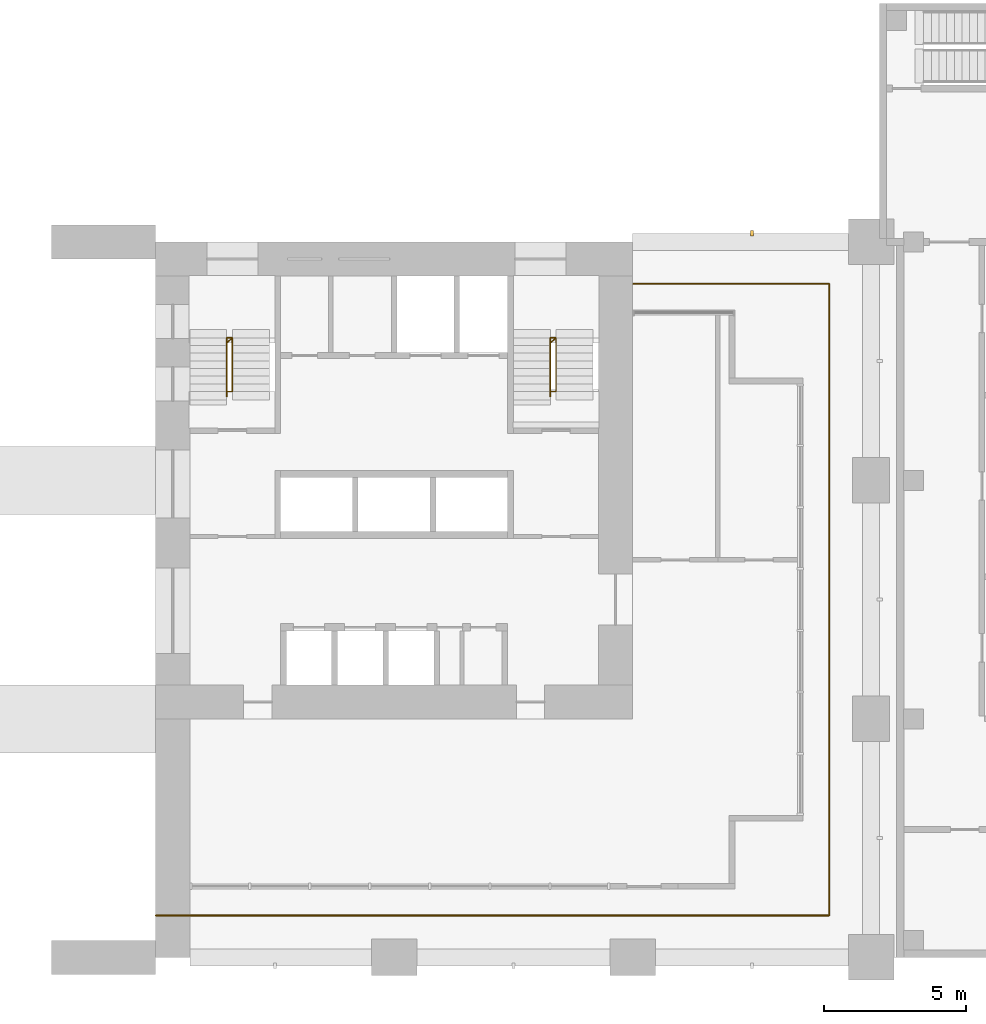
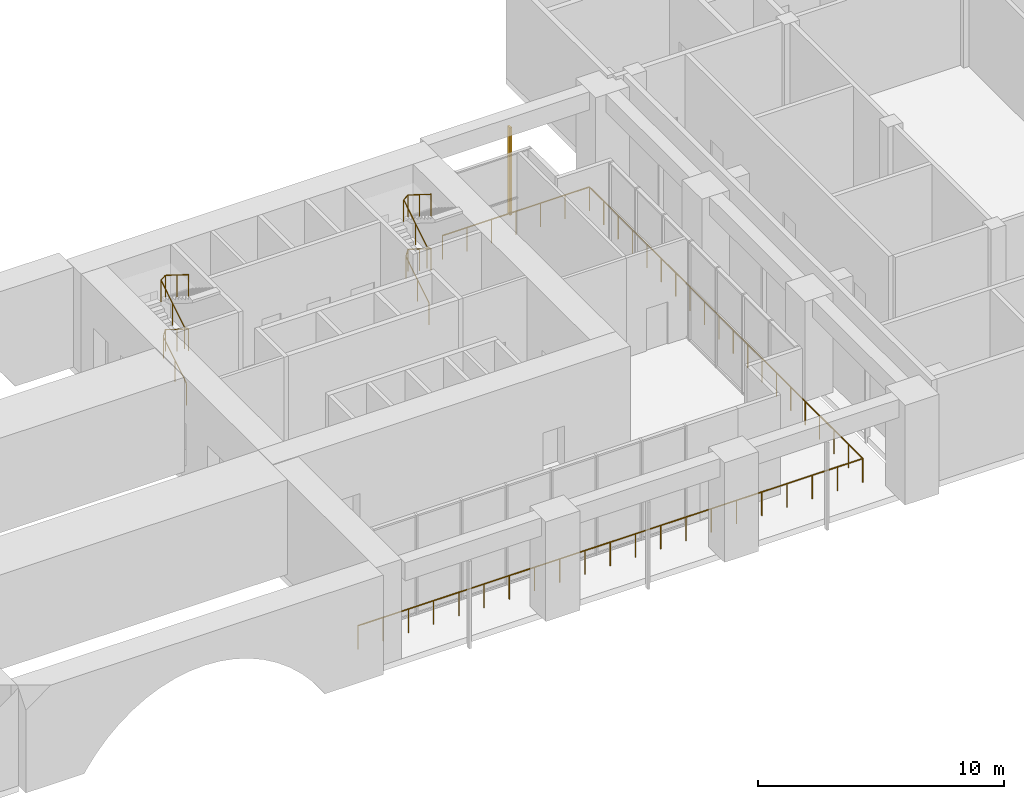
# One storey, part 22 of 26: 3 railings, 1 shading device.
"""IFC4 building model written with IfcOpenShell, lengths in metres."""

from ifc_helpers import new_model, si_unit, direction, frame, origin, origin_2d, place, context, subcontext, project, spatial, rectangle, circle, extrude, material, material_profile, profile_set, type_object, element, save


model = new_model("IFC4")

# Units and contexts
model_context = context("Model", 3, precision=1e-05, world=origin(), true_north=direction((0.0, 1.0)))
body_context = subcontext(model_context, "Body", "Model", "MODEL_VIEW")
ifc_project = project(units=[si_unit("LENGTHUNIT", "METRE"), si_unit("AREAUNIT", "SQUARE_METRE"), si_unit("VOLUMEUNIT", "CUBIC_METRE"), si_unit("PLANEANGLEUNIT", "RADIAN"), si_unit("MASSUNIT", "GRAM", prefix="KILO")], contexts=[model_context])

# Site, building, storey
site_placement = place(None, origin())
site = spatial("IfcSite", under=ifc_project, at=site_placement, CompositionType="ELEMENT")
building_placement = place(site_placement, origin())
building = spatial("IfcBuilding", under=site, at=building_placement, Name="Vermilion Gate Residences", CompositionType="ELEMENT")
storey_placement = place(building_placement, frame((0.0, 0.0, 9.0)))
storey = spatial("IfcBuildingStorey", under=building, at=storey_placement, Name="L01", CompositionType="ELEMENT", Elevation=9.0)

# Railings
ifc_material_1 = material(Name="Stainless steel and toughened glass", Category="steel")
railing_type_1 = type_object("IfcRailingType", Name="LOGGIA GUARD STEEL AND GLASS 1200", PredefinedType="GUARDRAIL", material=ifc_material_1)
railing_1_placement = place(storey_placement, frame((42.0, 1.47509765625, 0.0)))
element("IfcRailing", 1, at=railing_1_placement, inside=storey, type_object=railing_type_1, Name="Loggia guard", PredefinedType="GUARDRAIL", context=body_context, shape_type="SweptSolid", body=[
    extrude(circle(Radius=0.030029296875, at=origin_2d()), frame((0.0, 0.0, 1.169921875), z_axis=(1.0, 0.0, 0.0), x_axis=(0.0, 1.0, 0.0)), (0.0, 0.0, 1.0), 23.72509765625),
    extrude(circle(Radius=0.030029296875, at=origin_2d()), frame((23.72509765625, 0.0, 1.169921875), z_axis=(0.0, 1.0, 0.0), x_axis=(-1.0, 0.0, 0.0)), (0.0, 0.0, 1.0), 22.25),
    extrude(circle(Radius=0.030029296875, at=origin_2d()), frame((23.72509765625, 22.25, 1.169921875), z_axis=(-1.0, 0.0, 0.0), x_axis=(0.0, -1.0, 0.0)), (0.0, 0.0, 1.0), 6.903076171875),
    extrude(circle(Radius=0.02490234375, at=origin_2d()), origin(), (0.0, 0.0, 1.0), 1.139892578125),
    extrude(circle(Radius=0.02490234375, at=origin_2d()), frame((1.186279296875, 0.0, 0.0)), (0.0, 0.0, 1.0), 1.139892578125),
    extrude(circle(Radius=0.02490234375, at=origin_2d()), frame((2.37255859375, 0.0, 0.0)), (0.0, 0.0, 1.0), 1.139892578125),
    extrude(circle(Radius=0.02490234375, at=origin_2d()), frame((3.558837890625, 0.0, 0.0)), (0.0, 0.0, 1.0), 1.139892578125),
    extrude(circle(Radius=0.02490234375, at=origin_2d()), frame((4.7451171875, 0.0, 0.0)), (0.0, 0.0, 1.0), 1.139892578125),
    extrude(circle(Radius=0.02490234375, at=origin_2d()), frame((5.93115234375, 0.0, 0.0)), (0.0, 0.0, 1.0), 1.139892578125),
    extrude(circle(Radius=0.02490234375, at=origin_2d()), frame((7.117431640625, 0.0, 0.0)), (0.0, 0.0, 1.0), 1.139892578125),
    extrude(circle(Radius=0.02490234375, at=origin_2d()), frame((8.3037109375, 0.0, 0.0)), (0.0, 0.0, 1.0), 1.139892578125),
    extrude(circle(Radius=0.02490234375, at=origin_2d()), frame((9.489990234375, 0.0, 0.0)), (0.0, 0.0, 1.0), 1.139892578125),
    extrude(circle(Radius=0.02490234375, at=origin_2d()), frame((10.67626953125, 0.0, 0.0)), (0.0, 0.0, 1.0), 1.139892578125),
    extrude(circle(Radius=0.02490234375, at=origin_2d()), frame((11.862548828125, 0.0, 0.0)), (0.0, 0.0, 1.0), 1.139892578125),
    extrude(circle(Radius=0.02490234375, at=origin_2d()), frame((13.048828125, 0.0, 0.0)), (0.0, 0.0, 1.0), 1.139892578125),
    extrude(circle(Radius=0.02490234375, at=origin_2d()), frame((14.235107421875, 0.0, 0.0)), (0.0, 0.0, 1.0), 1.139892578125),
    extrude(circle(Radius=0.02490234375, at=origin_2d()), frame((15.42138671875, 0.0, 0.0)), (0.0, 0.0, 1.0), 1.139892578125),
    extrude(circle(Radius=0.02490234375, at=origin_2d()), frame((16.607666015625, 0.0, 0.0)), (0.0, 0.0, 1.0), 1.139892578125),
    extrude(circle(Radius=0.02490234375, at=origin_2d()), frame((17.7939453125, 0.0, 0.0)), (0.0, 0.0, 1.0), 1.139892578125),
    extrude(circle(Radius=0.02490234375, at=origin_2d()), frame((18.97998046875, 0.0, 0.0)), (0.0, 0.0, 1.0), 1.139892578125),
    extrude(circle(Radius=0.02490234375, at=origin_2d()), frame((20.166259765625, 0.0, 0.0)), (0.0, 0.0, 1.0), 1.139892578125),
    extrude(circle(Radius=0.02490234375, at=origin_2d()), frame((21.3525390625, 0.0, 0.0)), (0.0, 0.0, 1.0), 1.139892578125),
    extrude(circle(Radius=0.02490234375, at=origin_2d()), frame((22.538818359375, 0.0, 0.0)), (0.0, 0.0, 1.0), 1.139892578125),
    extrude(circle(Radius=0.02490234375, at=origin_2d()), frame((23.72509765625, 0.0, 0.0)), (0.0, 0.0, 1.0), 1.139892578125),
    extrude(circle(Radius=0.02490234375, at=origin_2d()), frame((23.72509765625, 1.171142578125, 0.0)), (0.0, 0.0, 1.0), 1.139892578125),
    extrude(circle(Radius=0.02490234375, at=origin_2d()), frame((23.72509765625, 2.342041015625, 0.0)), (0.0, 0.0, 1.0), 1.139892578125),
    extrude(circle(Radius=0.02490234375, at=origin_2d()), frame((23.72509765625, 3.51318359375, 0.0)), (0.0, 0.0, 1.0), 1.139892578125),
    extrude(circle(Radius=0.02490234375, at=origin_2d()), frame((23.72509765625, 4.684326171875, 0.0)), (0.0, 0.0, 1.0), 1.139892578125),
    extrude(circle(Radius=0.02490234375, at=origin_2d()), frame((23.72509765625, 5.855224609375, 0.0)), (0.0, 0.0, 1.0), 1.139892578125),
    extrude(circle(Radius=0.02490234375, at=origin_2d()), frame((23.72509765625, 7.0263671875, 0.0)), (0.0, 0.0, 1.0), 1.139892578125),
    extrude(circle(Radius=0.02490234375, at=origin_2d()), frame((23.72509765625, 8.197265625, 0.0)), (0.0, 0.0, 1.0), 1.139892578125),
    extrude(circle(Radius=0.02490234375, at=origin_2d()), frame((23.72509765625, 9.368408203125, 0.0)), (0.0, 0.0, 1.0), 1.139892578125),
    extrude(circle(Radius=0.02490234375, at=origin_2d()), frame((23.72509765625, 10.53955078125, 0.0)), (0.0, 0.0, 1.0), 1.139892578125),
    extrude(circle(Radius=0.02490234375, at=origin_2d()), frame((23.72509765625, 11.71044921875, 0.0)), (0.0, 0.0, 1.0), 1.139892578125),
    extrude(circle(Radius=0.02490234375, at=origin_2d()), frame((23.72509765625, 12.881591796875, 0.0)), (0.0, 0.0, 1.0), 1.139892578125),
    extrude(circle(Radius=0.02490234375, at=origin_2d()), frame((23.72509765625, 14.052734375, 0.0)), (0.0, 0.0, 1.0), 1.139892578125),
    extrude(circle(Radius=0.02490234375, at=origin_2d()), frame((23.72509765625, 15.2236328125, 0.0)), (0.0, 0.0, 1.0), 1.139892578125),
    extrude(circle(Radius=0.02490234375, at=origin_2d()), frame((23.72509765625, 16.394775390625, 0.0)), (0.0, 0.0, 1.0), 1.139892578125),
    extrude(circle(Radius=0.02490234375, at=origin_2d()), frame((23.72509765625, 17.565673828125, 0.0)), (0.0, 0.0, 1.0), 1.139892578125),
    extrude(circle(Radius=0.02490234375, at=origin_2d()), frame((23.72509765625, 18.73681640625, 0.0)), (0.0, 0.0, 1.0), 1.139892578125),
    extrude(circle(Radius=0.02490234375, at=origin_2d()), frame((23.72509765625, 19.907958984375, 0.0)), (0.0, 0.0, 1.0), 1.139892578125),
    extrude(circle(Radius=0.02490234375, at=origin_2d()), frame((23.72509765625, 21.078857421875, 0.0)), (0.0, 0.0, 1.0), 1.139892578125),
    extrude(circle(Radius=0.02490234375, at=origin_2d()), frame((23.72509765625, 22.25, 0.0)), (0.0, 0.0, 1.0), 1.139892578125),
    extrude(circle(Radius=0.02490234375, at=origin_2d()), frame((22.57470703125, 22.25, 0.0)), (0.0, 0.0, 1.0), 1.139892578125),
    extrude(circle(Radius=0.02490234375, at=origin_2d()), frame((21.424072265625, 22.25, 0.0)), (0.0, 0.0, 1.0), 1.139892578125),
    extrude(circle(Radius=0.02490234375, at=origin_2d()), frame((20.2734375, 22.25, 0.0)), (0.0, 0.0, 1.0), 1.139892578125),
    extrude(circle(Radius=0.02490234375, at=origin_2d()), frame((19.123046875, 22.25, 0.0)), (0.0, 0.0, 1.0), 1.139892578125),
    extrude(circle(Radius=0.02490234375, at=origin_2d()), frame((17.97265625, 22.25, 0.0)), (0.0, 0.0, 1.0), 1.139892578125),
    extrude(circle(Radius=0.02490234375, at=origin_2d()), frame((16.822021484375, 22.25, 0.0)), (0.0, 0.0, 1.0), 1.139892578125),
])
ifc_material_2 = material(Name="Steel S355", Category="steel")
railing_type_2 = type_object("IfcRailingType", Name="STAIR GUARD 1100 STEEL", PredefinedType="GUARDRAIL", material=ifc_material_2)
railing_2_placement = place(storey_placement, frame((44.5, 19.75, 0.168701171875)))
element("IfcRailing", 2, at=railing_2_placement, inside=storey, type_object=railing_type_2, Name="Stair well guard STA1-01", PredefinedType="GUARDRAIL", context=body_context, shape_type="SweptSolid", body=[
    extrude(circle(Radius=0.02392578125, at=origin_2d()), frame((0.0, 0.0, 1.076171875), z_axis=(0.0, 0.847955223367, 0.530067862792), x_axis=(-1.0, 0.0, 0.0)), (0.0, 0.0, 1.0), 2.228759765625),
    extrude(circle(Radius=0.02392578125, at=origin_2d()), frame((0.0, 1.889892578125, 2.25732421875), z_axis=(0.629462764899, 0.567208205734, 0.531085189921), x_axis=(-0.669415636384, 0.74288808428, 0.0)), (0.0, 0.0, 1.0), 0.317626953125),
    extrude(circle(Radius=0.02392578125, at=origin_2d()), frame((0.199951171875, 2.070068359375, 2.42626953125), z_axis=(0.0, -0.848035224522, 0.529939862598), x_axis=(1.0, 0.0, 0.0)), (0.0, 0.0, 1.0), 2.228759765625),
    extrude(circle(Radius=0.02392578125, at=origin_2d()), frame((0.199951171875, 0.179931640625, 3.607421875), z_axis=(-0.764305856904, 0.0, 0.644853903688), x_axis=(0.0, -1.0, 0.0)), (0.0, 0.0, 1.0), 0.26171875),
    extrude(circle(Radius=0.02392578125, at=origin_2d()), frame((0.0, 0.179931640625, 3.77587890625), z_axis=(0.0, 0.847985996966, 0.530018630757), x_axis=(-1.0, 0.0, 0.0)), (0.0, 0.0, 1.0), 2.22900390625),
    extrude(circle(Radius=0.02392578125, at=origin_2d()), frame((0.0, 2.070068359375, 4.95751953125), z_axis=(0.764305856904, 0.0, 0.644853903688), x_axis=(0.0, 1.0, 0.0)), (0.0, 0.0, 1.0), 0.26171875),
    extrude(circle(Radius=0.02392578125, at=origin_2d()), frame((0.199951171875, 2.070068359375, 5.1259765625), z_axis=(0.0, -0.848035224522, 0.529939862598), x_axis=(1.0, 0.0, 0.0)), (0.0, 0.0, 1.0), 2.228759765625),
    extrude(circle(Radius=0.02099609375, at=origin_2d()), origin(), (0.0, 0.0, 1.0), 1.052001953125),
    extrude(circle(Radius=0.02099609375, at=origin_2d()), frame((0.0, 0.94482421875, 0.5908203125)), (0.0, 0.0, 1.0), 1.052001953125),
    extrude(circle(Radius=0.02099609375, at=origin_2d()), frame((0.0, 1.889892578125, 1.181396484375)), (0.0, 0.0, 1.0), 1.052001953125),
    extrude(circle(Radius=0.02099609375, at=origin_2d()), frame((0.199951171875, 2.070068359375, 1.35009765625)), (0.0, 0.0, 1.0), 1.052001953125),
    extrude(circle(Radius=0.02099609375, at=origin_2d()), frame((0.199951171875, 1.125, 1.940673828125)), (0.0, 0.0, 1.0), 1.052001953125),
    extrude(circle(Radius=0.02099609375, at=origin_2d()), frame((0.199951171875, 0.179931640625, 2.53125)), (0.0, 0.0, 1.0), 1.052001953125),
    extrude(circle(Radius=0.02099609375, at=origin_2d()), frame((0.0, 0.179931640625, 2.699951171875)), (0.0, 0.0, 1.0), 1.052001953125),
    extrude(circle(Radius=0.02099609375, at=origin_2d()), frame((0.0, 1.125, 3.29052734375)), (0.0, 0.0, 1.0), 1.052001953125),
    extrude(circle(Radius=0.02099609375, at=origin_2d()), frame((0.0, 2.070068359375, 3.88134765625)), (0.0, 0.0, 1.0), 1.052001953125),
    extrude(circle(Radius=0.02099609375, at=origin_2d()), frame((0.199951171875, 2.070068359375, 4.050048828125)), (0.0, 0.0, 1.0), 1.052001953125),
    extrude(circle(Radius=0.02099609375, at=origin_2d()), frame((0.199951171875, 1.125, 4.640625)), (0.0, 0.0, 1.0), 1.052001953125),
    extrude(circle(Radius=0.02099609375, at=origin_2d()), frame((0.199951171875, 0.179931640625, 5.231201171875)), (0.0, 0.0, 1.0), 1.052001953125),
])
railing_3_placement = place(storey_placement, frame((55.89990234375, 19.75, 0.168701171875)))
element("IfcRailing", 3, at=railing_3_placement, inside=storey, type_object=railing_type_2, Name="Stair well guard STA2-01", PredefinedType="GUARDRAIL", context=body_context, shape_type="SweptSolid", body=[
    extrude(circle(Radius=0.02392578125, at=origin_2d()), frame((0.0, 0.0, 1.076171875), z_axis=(0.0, 0.847955223367, 0.530067862792), x_axis=(-1.0, 0.0, 0.0)), (0.0, 0.0, 1.0), 2.228759765625),
    extrude(circle(Radius=0.02392578125, at=origin_2d()), frame((0.0, 1.889892578125, 2.25732421875), z_axis=(0.629926475786, 0.566933828207, 0.530828286302), x_axis=(-0.668964731622, 0.743294146247, 0.0)), (0.0, 0.0, 1.0), 0.31787109375),
    extrude(circle(Radius=0.02392578125, at=origin_2d()), frame((0.2001953125, 2.070068359375, 2.42626953125), z_axis=(0.0, -0.848035224522, 0.529939862598), x_axis=(1.0, 0.0, 0.0)), (0.0, 0.0, 1.0), 2.228759765625),
    extrude(circle(Radius=0.02392578125, at=origin_2d()), frame((0.2001953125, 0.179931640625, 3.607421875), z_axis=(-0.764693508358, 0.0, 0.64439416375), x_axis=(0.0, -1.0, 0.0)), (0.0, 0.0, 1.0), 0.26171875),
    extrude(circle(Radius=0.02392578125, at=origin_2d()), frame((0.0, 0.179931640625, 3.77587890625), z_axis=(0.0, 0.847985996966, 0.530018630757), x_axis=(-1.0, 0.0, 0.0)), (0.0, 0.0, 1.0), 2.22900390625),
    extrude(circle(Radius=0.02392578125, at=origin_2d()), frame((0.0, 2.070068359375, 4.95751953125), z_axis=(0.764693508358, 0.0, 0.64439416375), x_axis=(0.0, 1.0, 0.0)), (0.0, 0.0, 1.0), 0.26171875),
    extrude(circle(Radius=0.02392578125, at=origin_2d()), frame((0.2001953125, 2.070068359375, 5.1259765625), z_axis=(0.0, -0.848035224522, 0.529939862598), x_axis=(1.0, 0.0, 0.0)), (0.0, 0.0, 1.0), 2.228759765625),
    extrude(circle(Radius=0.02099609375, at=origin_2d()), origin(), (0.0, 0.0, 1.0), 1.052001953125),
    extrude(circle(Radius=0.02099609375, at=origin_2d()), frame((0.0, 0.94482421875, 0.5908203125)), (0.0, 0.0, 1.0), 1.052001953125),
    extrude(circle(Radius=0.02099609375, at=origin_2d()), frame((0.0, 1.889892578125, 1.181396484375)), (0.0, 0.0, 1.0), 1.052001953125),
    extrude(circle(Radius=0.02099609375, at=origin_2d()), frame((0.2001953125, 2.070068359375, 1.35009765625)), (0.0, 0.0, 1.0), 1.052001953125),
    extrude(circle(Radius=0.02099609375, at=origin_2d()), frame((0.2001953125, 1.125, 1.940673828125)), (0.0, 0.0, 1.0), 1.052001953125),
    extrude(circle(Radius=0.02099609375, at=origin_2d()), frame((0.2001953125, 0.179931640625, 2.53125)), (0.0, 0.0, 1.0), 1.052001953125),
    extrude(circle(Radius=0.02099609375, at=origin_2d()), frame((0.0, 0.179931640625, 2.699951171875)), (0.0, 0.0, 1.0), 1.052001953125),
    extrude(circle(Radius=0.02099609375, at=origin_2d()), frame((0.0, 1.125, 3.29052734375)), (0.0, 0.0, 1.0), 1.052001953125),
    extrude(circle(Radius=0.02099609375, at=origin_2d()), frame((0.0, 2.070068359375, 3.88134765625)), (0.0, 0.0, 1.0), 1.052001953125),
    extrude(circle(Radius=0.02099609375, at=origin_2d()), frame((0.2001953125, 2.070068359375, 4.050048828125)), (0.0, 0.0, 1.0), 1.052001953125),
    extrude(circle(Radius=0.02099609375, at=origin_2d()), frame((0.2001953125, 1.125, 4.640625)), (0.0, 0.0, 1.0), 1.052001953125),
    extrude(circle(Radius=0.02099609375, at=origin_2d()), frame((0.2001953125, 0.179931640625, 5.231201171875)), (0.0, 0.0, 1.0), 1.052001953125),
])

# Shading device
ifc_material_3 = material(Name="Extruded terracotta", Category="masonry")
ifc_material_profile = material_profile(ifc_material_3, rectangle(XDim=0.199951171875, YDim=0.10009765625, at=origin_2d()), Name="BAGUETTE 100 X 200")
ifc_profile_set = profile_set([ifc_material_profile], Name="Extruded terracotta")
shading_device_type = type_object("IfcShadingDeviceType", Name="TERRACOTTA BAGUETTE 100 X 200", PredefinedType="JALOUSIE", material=ifc_profile_set)
shading_device_placement = place(storey_placement, frame((63.0, 25.5, -0.300048828125), z_axis=(0.0, 0.0, 1.0), x_axis=(0.0, -1.0, 0.0)))
element("IfcShadingDevice", 4, at=shading_device_placement, inside=storey, type_object=shading_device_type, Name="BAGUETTE", PredefinedType="JALOUSIE", context=body_context, shape_type="SweptSolid", body=[
    extrude(rectangle(XDim=0.199951171875, YDim=0.10009765625, at=origin_2d()), origin(), (0.0, 0.0, 1.0), 4.35009765625),
])

save(model, "model.ifc")
